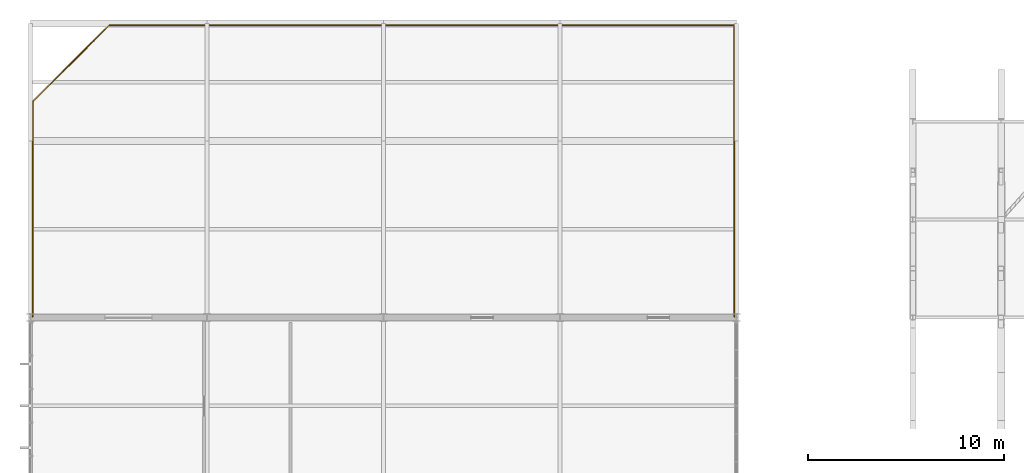
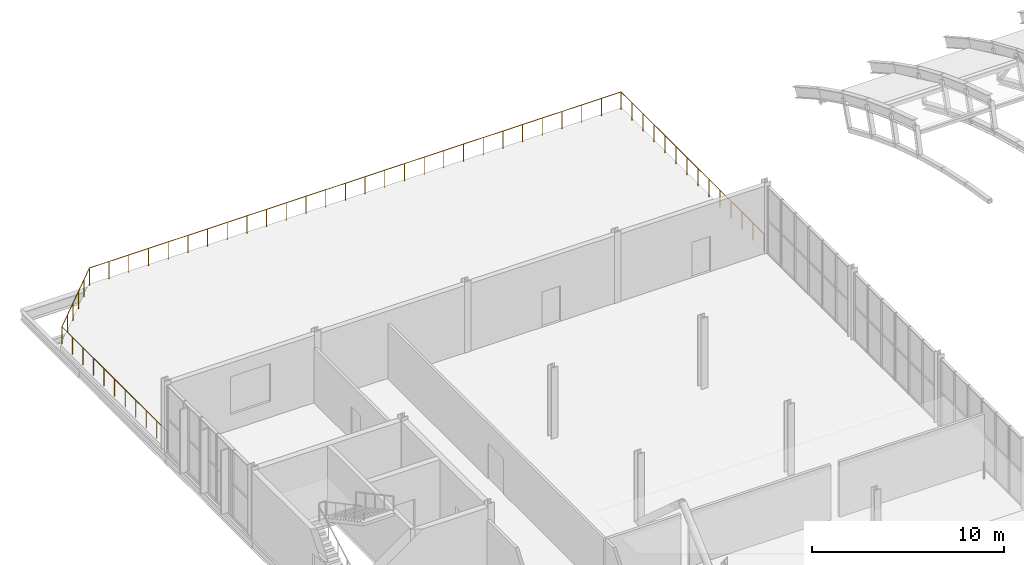
# One storey, part 103 of 103: 1 railing.
"""IFC4 building model written with IfcOpenShell, lengths in metres."""

from ifc_helpers import new_model, si_unit, direction, frame, origin, origin_2d, place, context, subcontext, project, spatial, circle, extrude, material, type_object, element, save


model = new_model("IFC4")

# Units and contexts
model_context = context("Model", 3, precision=1e-05, world=origin(), true_north=direction((0.0, 1.0)))
body_context = subcontext(model_context, "Body", "Model", "MODEL_VIEW")
ifc_project = project(units=[si_unit("LENGTHUNIT", "METRE"), si_unit("AREAUNIT", "SQUARE_METRE"), si_unit("VOLUMEUNIT", "CUBIC_METRE"), si_unit("PLANEANGLEUNIT", "RADIAN"), si_unit("MASSUNIT", "GRAM", prefix="KILO")], contexts=[model_context])

# Site, building, storey
site_placement = place(None, origin())
site = spatial("IfcSite", under=ifc_project, at=site_placement, CompositionType="ELEMENT")
building_placement = place(site_placement, origin())
building = spatial("IfcBuilding", under=site, at=building_placement, Name="Cazmaro Siding Exhibition Halls", CompositionType="ELEMENT")
storey_placement = place(building_placement, frame((0.0, 0.0, 16.5)))
storey = spatial("IfcBuildingStorey", under=building, at=storey_placement, Name="L03", CompositionType="ELEMENT", Elevation=16.5)

# Railing
ifc_material = material(Name="Laminated Glass and Brushed Stainless Steel Balustrade", Category="steel")
railing_type = type_object("IfcRailingType", Name="RL-BAL-01", PredefinedType="BALUSTRADE", material=ifc_material)
railing_placement = place(storey_placement, frame((0.10009765625, 109.050048828125, 0.0)))
element("IfcRailing", 1, at=railing_placement, inside=storey, type_object=railing_type, Name="L03 Roof Terrace Perimeter Guard RL-BAL-01 RL-G002", PredefinedType="BALUSTRADE", context=body_context, shape_type="SweptSolid", body=[
    extrude(circle(Radius=0.02392578125, at=origin_2d()), frame((0.0, 0.0, 1.09619140625), z_axis=(0.0, 1.0, 0.0), x_axis=(-1.0, 0.0, 0.0)), (0.0, 0.0, 1.0), 10.949951171875),
    extrude(circle(Radius=0.02392578125, at=origin_2d()), frame((0.0, 10.949951171875, 1.09619140625), z_axis=(0.707106781187, 0.707106781187, 0.0), x_axis=(-0.707106781187, 0.707106781187, 0.0)), (0.0, 0.0, 1.0), 5.515380859375),
    extrude(circle(Radius=0.02392578125, at=origin_2d()), frame((3.89990234375, 14.849853515625, 1.09619140625), z_axis=(1.0, 0.0, 0.0), x_axis=(0.0, 1.0, 0.0)), (0.0, 0.0, 1.0), 31.89990234375),
    extrude(circle(Radius=0.02392578125, at=origin_2d()), frame((35.7998046875, 14.849853515625, 1.09619140625), z_axis=(0.0, -1.0, 0.0), x_axis=(1.0, 0.0, 0.0)), (0.0, 0.0, 1.0), 14.849853515625),
    extrude(circle(Radius=0.02099609375, at=origin_2d()), origin(), (0.0, 0.0, 1.0), 1.072021484375),
    extrude(circle(Radius=0.02099609375, at=origin_2d()), frame((0.0, 1.094970703125, 0.0)), (0.0, 0.0, 1.0), 1.072021484375),
    extrude(circle(Radius=0.02099609375, at=origin_2d()), frame((0.0, 2.18994140625, 0.0)), (0.0, 0.0, 1.0), 1.072021484375),
    extrude(circle(Radius=0.02099609375, at=origin_2d()), frame((0.0, 3.284912109375, 0.0)), (0.0, 0.0, 1.0), 1.072021484375),
    extrude(circle(Radius=0.02099609375, at=origin_2d()), frame((0.0, 4.3798828125, 0.0)), (0.0, 0.0, 1.0), 1.072021484375),
    extrude(circle(Radius=0.02099609375, at=origin_2d()), frame((0.0, 5.47509765625, 0.0)), (0.0, 0.0, 1.0), 1.072021484375),
    extrude(circle(Radius=0.02099609375, at=origin_2d()), frame((0.0, 6.570068359375, 0.0)), (0.0, 0.0, 1.0), 1.072021484375),
    extrude(circle(Radius=0.02099609375, at=origin_2d()), frame((0.0, 7.6650390625, 0.0)), (0.0, 0.0, 1.0), 1.072021484375),
    extrude(circle(Radius=0.02099609375, at=origin_2d()), frame((0.0, 8.760009765625, 0.0)), (0.0, 0.0, 1.0), 1.072021484375),
    extrude(circle(Radius=0.02099609375, at=origin_2d()), frame((0.0, 9.85498046875, 0.0)), (0.0, 0.0, 1.0), 1.072021484375),
    extrude(circle(Radius=0.02099609375, at=origin_2d()), frame((0.0, 10.949951171875, 0.0)), (0.0, 0.0, 1.0), 1.072021484375),
    extrude(circle(Radius=0.02099609375, at=origin_2d()), frame((0.780029296875, 11.72998046875, 0.0)), (0.0, 0.0, 1.0), 1.072021484375),
    extrude(circle(Radius=0.02099609375, at=origin_2d()), frame((1.56005859375, 12.510009765625, 0.0)), (0.0, 0.0, 1.0), 1.072021484375),
    extrude(circle(Radius=0.02099609375, at=origin_2d()), frame((2.33984375, 13.289794921875, 0.0)), (0.0, 0.0, 1.0), 1.072021484375),
    extrude(circle(Radius=0.02099609375, at=origin_2d()), frame((3.119873046875, 14.06982421875, 0.0)), (0.0, 0.0, 1.0), 1.072021484375),
    extrude(circle(Radius=0.02099609375, at=origin_2d()), frame((3.89990234375, 14.849853515625, 0.0)), (0.0, 0.0, 1.0), 1.072021484375),
    extrude(circle(Radius=0.02099609375, at=origin_2d()), frame((5.081298828125, 14.849853515625, 0.0)), (0.0, 0.0, 1.0), 1.072021484375),
    extrude(circle(Radius=0.02099609375, at=origin_2d()), frame((6.262939453125, 14.849853515625, 0.0)), (0.0, 0.0, 1.0), 1.072021484375),
    extrude(circle(Radius=0.02099609375, at=origin_2d()), frame((7.4443359375, 14.849853515625, 0.0)), (0.0, 0.0, 1.0), 1.072021484375),
    extrude(circle(Radius=0.02099609375, at=origin_2d()), frame((8.625732421875, 14.849853515625, 0.0)), (0.0, 0.0, 1.0), 1.072021484375),
    extrude(circle(Radius=0.02099609375, at=origin_2d()), frame((9.807373046875, 14.849853515625, 0.0)), (0.0, 0.0, 1.0), 1.072021484375),
    extrude(circle(Radius=0.02099609375, at=origin_2d()), frame((10.98876953125, 14.849853515625, 0.0)), (0.0, 0.0, 1.0), 1.072021484375),
    extrude(circle(Radius=0.02099609375, at=origin_2d()), frame((12.170166015625, 14.849853515625, 0.0)), (0.0, 0.0, 1.0), 1.072021484375),
    extrude(circle(Radius=0.02099609375, at=origin_2d()), frame((13.351806640625, 14.849853515625, 0.0)), (0.0, 0.0, 1.0), 1.072021484375),
    extrude(circle(Radius=0.02099609375, at=origin_2d()), frame((14.533203125, 14.849853515625, 0.0)), (0.0, 0.0, 1.0), 1.072021484375),
    extrude(circle(Radius=0.02099609375, at=origin_2d()), frame((15.714599609375, 14.849853515625, 0.0)), (0.0, 0.0, 1.0), 1.072021484375),
    extrude(circle(Radius=0.02099609375, at=origin_2d()), frame((16.896240234375, 14.849853515625, 0.0)), (0.0, 0.0, 1.0), 1.072021484375),
    extrude(circle(Radius=0.02099609375, at=origin_2d()), frame((18.07763671875, 14.849853515625, 0.0)), (0.0, 0.0, 1.0), 1.072021484375),
    extrude(circle(Radius=0.02099609375, at=origin_2d()), frame((19.259033203125, 14.849853515625, 0.0)), (0.0, 0.0, 1.0), 1.072021484375),
    extrude(circle(Radius=0.02099609375, at=origin_2d()), frame((20.440673828125, 14.849853515625, 0.0)), (0.0, 0.0, 1.0), 1.072021484375),
    extrude(circle(Radius=0.02099609375, at=origin_2d()), frame((21.6220703125, 14.849853515625, 0.0)), (0.0, 0.0, 1.0), 1.072021484375),
    extrude(circle(Radius=0.02099609375, at=origin_2d()), frame((22.803466796875, 14.849853515625, 0.0)), (0.0, 0.0, 1.0), 1.072021484375),
    extrude(circle(Radius=0.02099609375, at=origin_2d()), frame((23.985107421875, 14.849853515625, 0.0)), (0.0, 0.0, 1.0), 1.072021484375),
    extrude(circle(Radius=0.02099609375, at=origin_2d()), frame((25.16650390625, 14.849853515625, 0.0)), (0.0, 0.0, 1.0), 1.072021484375),
    extrude(circle(Radius=0.02099609375, at=origin_2d()), frame((26.347900390625, 14.849853515625, 0.0)), (0.0, 0.0, 1.0), 1.072021484375),
    extrude(circle(Radius=0.02099609375, at=origin_2d()), frame((27.529541015625, 14.849853515625, 0.0)), (0.0, 0.0, 1.0), 1.072021484375),
    extrude(circle(Radius=0.02099609375, at=origin_2d()), frame((28.7109375, 14.849853515625, 0.0)), (0.0, 0.0, 1.0), 1.072021484375),
    extrude(circle(Radius=0.02099609375, at=origin_2d()), frame((29.892333984375, 14.849853515625, 0.0)), (0.0, 0.0, 1.0), 1.072021484375),
    extrude(circle(Radius=0.02099609375, at=origin_2d()), frame((31.073974609375, 14.849853515625, 0.0)), (0.0, 0.0, 1.0), 1.072021484375),
    extrude(circle(Radius=0.02099609375, at=origin_2d()), frame((32.25537109375, 14.849853515625, 0.0)), (0.0, 0.0, 1.0), 1.072021484375),
    extrude(circle(Radius=0.02099609375, at=origin_2d()), frame((33.436767578125, 14.849853515625, 0.0)), (0.0, 0.0, 1.0), 1.072021484375),
    extrude(circle(Radius=0.02099609375, at=origin_2d()), frame((34.618408203125, 14.849853515625, 0.0)), (0.0, 0.0, 1.0), 1.072021484375),
    extrude(circle(Radius=0.02099609375, at=origin_2d()), frame((35.7998046875, 14.849853515625, 0.0)), (0.0, 0.0, 1.0), 1.072021484375),
    extrude(circle(Radius=0.02099609375, at=origin_2d()), frame((35.7998046875, 13.70751953125, 0.0)), (0.0, 0.0, 1.0), 1.072021484375),
    extrude(circle(Radius=0.02099609375, at=origin_2d()), frame((35.7998046875, 12.565185546875, 0.0)), (0.0, 0.0, 1.0), 1.072021484375),
    extrude(circle(Radius=0.02099609375, at=origin_2d()), frame((35.7998046875, 11.4228515625, 0.0)), (0.0, 0.0, 1.0), 1.072021484375),
    extrude(circle(Radius=0.02099609375, at=origin_2d()), frame((35.7998046875, 10.28076171875, 0.0)), (0.0, 0.0, 1.0), 1.072021484375),
    extrude(circle(Radius=0.02099609375, at=origin_2d()), frame((35.7998046875, 9.138427734375, 0.0)), (0.0, 0.0, 1.0), 1.072021484375),
    extrude(circle(Radius=0.02099609375, at=origin_2d()), frame((35.7998046875, 7.99609375, 0.0)), (0.0, 0.0, 1.0), 1.072021484375),
    extrude(circle(Radius=0.02099609375, at=origin_2d()), frame((35.7998046875, 6.853759765625, 0.0)), (0.0, 0.0, 1.0), 1.072021484375),
    extrude(circle(Radius=0.02099609375, at=origin_2d()), frame((35.7998046875, 5.71142578125, 0.0)), (0.0, 0.0, 1.0), 1.072021484375),
    extrude(circle(Radius=0.02099609375, at=origin_2d()), frame((35.7998046875, 4.569091796875, 0.0)), (0.0, 0.0, 1.0), 1.072021484375),
    extrude(circle(Radius=0.02099609375, at=origin_2d()), frame((35.7998046875, 3.427001953125, 0.0)), (0.0, 0.0, 1.0), 1.072021484375),
    extrude(circle(Radius=0.02099609375, at=origin_2d()), frame((35.7998046875, 2.28466796875, 0.0)), (0.0, 0.0, 1.0), 1.072021484375),
    extrude(circle(Radius=0.02099609375, at=origin_2d()), frame((35.7998046875, 1.142333984375, 0.0)), (0.0, 0.0, 1.0), 1.072021484375),
    extrude(circle(Radius=0.02099609375, at=origin_2d()), frame((35.7998046875, 0.0, 0.0)), (0.0, 0.0, 1.0), 1.072021484375),
])

save(model, "model.ifc")
